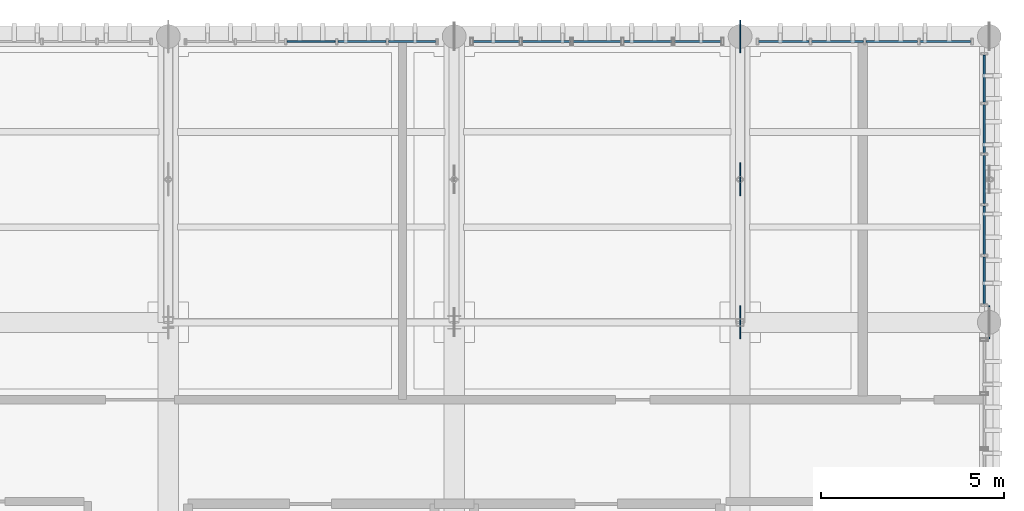
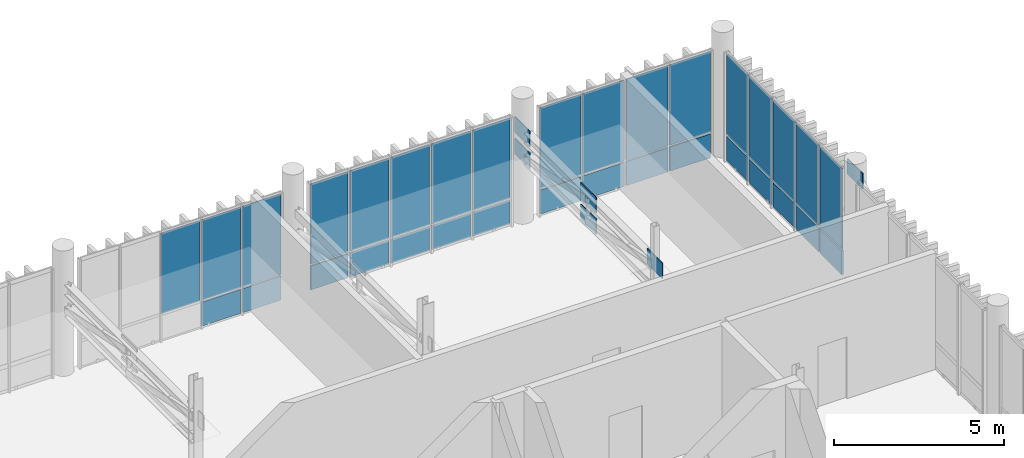
# One storey, part 45 of 53: 39 plates, 4 elements without a shape of their own.
"""IFC4 building model written with IfcOpenShell, lengths in metres."""

from ifc_helpers import new_model, si_unit, direction, frame, frame_2d, origin_with_axes, origin_2d_with_axis, place, context, subcontext, project, spatial, rectangle, extrude, material, layer, layer_set, type_object, element, aggregate, save


model = new_model("IFC4")

# Units and contexts
model_context = context("Model", 3, precision=1e-05, world=origin_with_axes(), true_north=direction((0.0, 1.0)))
body_context = subcontext(model_context, "Body", "Model", "MODEL_VIEW")
ifc_project = project(units=[si_unit("LENGTHUNIT", "METRE"), si_unit("AREAUNIT", "SQUARE_METRE"), si_unit("VOLUMEUNIT", "CUBIC_METRE"), si_unit("PLANEANGLEUNIT", "RADIAN"), si_unit("MASSUNIT", "GRAM", prefix="KILO"), si_unit("THERMODYNAMICTEMPERATUREUNIT", "KELVIN")], contexts=[model_context])

# Site, building, storey
site_placement = place(None, origin_with_axes())
site = spatial("IfcSite", under=ifc_project, at=site_placement, CompositionType="ELEMENT")
building_placement = place(site_placement, origin_with_axes())
building = spatial("IfcBuilding", under=site, at=building_placement, Name="Montbau Bow Law Courts", CompositionType="ELEMENT")
storey_placement = place(building_placement, frame((0.0, 0.0, 39.0), z_axis=(0.0, 0.0, 1.0), x_axis=(1.0, 0.0, 0.0)))
storey = spatial("IfcBuildingStorey", under=building, at=storey_placement, Name="L08", CompositionType="ELEMENT", Elevation=39.0)

# Curtain wall, plates
ifc_material_1 = material(Name="Thermally Broken Extruded Aluminium AA 6063-T6", Category="aluminium")
curtain_wall_type = type_object("IfcCurtainWallType", Name="CW-CRM-03", PredefinedType="NOTDEFINED", material=ifc_material_1)
curtain_wall_1_placement = place(None, frame((147.44, 110.86, 39.0), z_axis=(0.0, 0.0, 1.0), x_axis=(1.0, 0.0, 0.0)))
curtain_wall_1 = element("IfcCurtainWall", 1, at=curtain_wall_1_placement, inside=storey, type_object=curtain_wall_type, Name="CW-L08-377:cw_0377", PredefinedType="NOTDEFINED")
ifc_material_2 = material(Name="Triple-Glazed Low-E Argon Insulating Glass Unit", Category="glass")
ifc_layer_1 = layer(ifc_material_2, 0.044, Name="Curtain Panel", Category="glass")
ifc_layer_set_1 = layer_set([ifc_layer_1], Name="Triple-Glazed Low-E Argon Insulating Glass Unit")
plate_type_1 = type_object("IfcPlateType", Name="PL-CWP-01", PredefinedType="CURTAIN_PANEL", material=ifc_layer_set_1)
plate_1_placement = place(None, frame((150.24, 110.86, 39.98), z_axis=(0.0, -1.0, 0.0), x_axis=(1.0, 0.0, 0.0)))
plate_1 = element("IfcPlate", 2, at=plate_1_placement, type_object=plate_type_1, Name="CW-L08-377-P03-2:cw_0377_P03_2", PredefinedType="CURTAIN_PANEL", context=body_context, shape_type="SweptSolid", body=[
    extrude(rectangle(XDim=1.32, YDim=2.882, at=frame_2d((0.66, 1.441), x_axis=(1.0, 0.0))), frame((0.0, 0.0, -0.022), z_axis=(0.0, 0.0, 1.0), x_axis=(1.0, 0.0, 0.0)), (0.0, 0.0, 1.0), 0.044),
])
plate_2_placement = place(None, frame((151.624, 110.86, 39.98), z_axis=(0.0, -1.0, 0.0), x_axis=(1.0, 0.0, 0.0)))
plate_2 = element("IfcPlate", 3, at=plate_2_placement, type_object=plate_type_1, Name="CW-L08-377-P04-2:cw_0377_P04_2", PredefinedType="CURTAIN_PANEL", context=body_context, shape_type="SweptSolid", body=[
    extrude(rectangle(XDim=1.32, YDim=2.882, at=frame_2d((0.66, 1.441), x_axis=(1.0, 0.0))), frame((0.0, 0.0, -0.022), z_axis=(0.0, 0.0, 1.0), x_axis=(1.0, 0.0, 0.0)), (0.0, 0.0, 1.0), 0.044),
])
plate_3_placement = place(None, frame((153.008, 110.86, 39.98), z_axis=(0.0, -1.0, 0.0), x_axis=(1.0, 0.0, 0.0)))
plate_3 = element("IfcPlate", 4, at=plate_3_placement, type_object=plate_type_1, Name="CW-L08-377-P05-2:cw_0377_P05_2", PredefinedType="CURTAIN_PANEL", context=body_context, shape_type="SweptSolid", body=[
    extrude(rectangle(XDim=1.29, YDim=2.882, at=frame_2d((0.645, 1.441), x_axis=(1.0, 0.0))), frame((0.0, 0.0, -0.022), z_axis=(0.0, 0.0, 1.0), x_axis=(1.0, 0.0, 0.0)), (0.0, 0.0, 1.0), 0.044),
])

curtain_wall_2_placement = place(None, frame((155.24, 110.86, 39.0), z_axis=(0.0, 0.0, 1.0), x_axis=(1.0, 0.0, 0.0)))
curtain_wall_2 = element("IfcCurtainWall", 5, at=curtain_wall_2_placement, inside=storey, type_object=curtain_wall_type, Name="CW-L08-378:cw_0378", PredefinedType="NOTDEFINED")
plate_4_placement = place(None, frame((155.316, 110.86, 39.982), z_axis=(0.0, -1.0, 0.0), x_axis=(1.0, 0.0, 0.0)))
plate_4 = element("IfcPlate", 6, at=plate_4_placement, type_object=plate_type_1, Name="CW-L08-378-P01-2:cw_0378_P01_2", PredefinedType="CURTAIN_PANEL", context=body_context, shape_type="SweptSolid", body=[
    extrude(rectangle(XDim=1.268, YDim=2.876, at=frame_2d((0.634, 1.438), x_axis=(1.0, 0.0))), frame((0.0, 0.0, -0.022), z_axis=(0.0, 0.0, 1.0), x_axis=(1.0, 0.0, 0.0)), (0.0, 0.0, 1.0), 0.044),
])
plate_5_placement = place(None, frame((156.663, 110.86, 39.982), z_axis=(0.0, -1.0, 0.0), x_axis=(1.0, 0.0, 0.0)))
plate_5 = element("IfcPlate", 7, at=plate_5_placement, type_object=plate_type_1, Name="CW-L08-378-P02-2:cw_0378_P02_2", PredefinedType="CURTAIN_PANEL", context=body_context, shape_type="SweptSolid", body=[
    extrude(rectangle(XDim=1.305, YDim=2.876, at=frame_2d((0.6525, 1.438), x_axis=(1.0, 0.0))), frame((0.0, 0.0, -0.022), z_axis=(0.0, 0.0, 1.0), x_axis=(1.0, 0.0, 0.0)), (0.0, 0.0, 1.0), 0.044),
])
plate_6_placement = place(None, frame((158.047, 110.86, 39.982), z_axis=(0.0, -1.0, 0.0), x_axis=(1.0, 0.0, 0.0)))
plate_6 = element("IfcPlate", 8, at=plate_6_placement, type_object=plate_type_1, Name="CW-L08-378-P03-2:cw_0378_P03_2", PredefinedType="CURTAIN_PANEL", context=body_context, shape_type="SweptSolid", body=[
    extrude(rectangle(XDim=1.306, YDim=2.876, at=frame_2d((0.653, 1.438), x_axis=(1.0, 0.0))), frame((0.0, 0.0, -0.022), z_axis=(0.0, 0.0, 1.0), x_axis=(1.0, 0.0, 0.0)), (0.0, 0.0, 1.0), 0.044),
])
plate_7_placement = place(None, frame((159.431, 110.86, 39.982), z_axis=(0.0, -1.0, 0.0), x_axis=(1.0, 0.0, 0.0)))
plate_7 = element("IfcPlate", 9, at=plate_7_placement, type_object=plate_type_1, Name="CW-L08-378-P04-2:cw_0378_P04_2", PredefinedType="CURTAIN_PANEL", context=body_context, shape_type="SweptSolid", body=[
    extrude(rectangle(XDim=1.306, YDim=2.876, at=frame_2d((0.653, 1.438), x_axis=(1.0, 0.0))), frame((0.0, 0.0, -0.022), z_axis=(0.0, 0.0, 1.0), x_axis=(1.0, 0.0, 0.0)), (0.0, 0.0, 1.0), 0.044),
])
plate_8_placement = place(None, frame((160.815, 110.86, 39.982), z_axis=(0.0, -1.0, 0.0), x_axis=(1.0, 0.0, 0.0)))
plate_8 = element("IfcPlate", 10, at=plate_8_placement, type_object=plate_type_1, Name="CW-L08-378-P05-2:cw_0378_P05_2", PredefinedType="CURTAIN_PANEL", context=body_context, shape_type="SweptSolid", body=[
    extrude(rectangle(XDim=1.268, YDim=2.876, at=frame_2d((0.634, 1.438), x_axis=(1.0, 0.0))), frame((0.0, 0.0, -0.022), z_axis=(0.0, 0.0, 1.0), x_axis=(1.0, 0.0, 0.0)), (0.0, 0.0, 1.0), 0.044),
])

curtain_wall_3_placement = place(None, frame((163.04, 110.86, 39.0), z_axis=(0.0, 0.0, 1.0), x_axis=(1.0, 0.0, 0.0)))
curtain_wall_3 = element("IfcCurtainWall", 11, at=curtain_wall_3_placement, inside=storey, type_object=curtain_wall_type, Name="CW-L08-379:cw_0379", PredefinedType="NOTDEFINED")
plate_9_placement = place(None, frame((163.108, 110.86, 39.98), z_axis=(0.0, -1.0, 0.0), x_axis=(1.0, 0.0, 0.0)))
plate_9 = element("IfcPlate", 12, at=plate_9_placement, type_object=plate_type_1, Name="CW-L08-379-P01-2:cw_0379_P01_2", PredefinedType="CURTAIN_PANEL", context=body_context, shape_type="SweptSolid", body=[
    extrude(rectangle(XDim=1.378, YDim=2.882, at=frame_2d((0.689, 1.441), x_axis=(1.0, 0.0))), frame((0.0, 0.0, -0.022), z_axis=(0.0, 0.0, 1.0), x_axis=(1.0, 0.0, 0.0)), (0.0, 0.0, 1.0), 0.044),
])
plate_10_placement = place(None, frame((164.554, 110.86, 39.98), z_axis=(0.0, -1.0, 0.0), x_axis=(1.0, 0.0, 0.0)))
plate_10 = element("IfcPlate", 13, at=plate_10_placement, type_object=plate_type_1, Name="CW-L08-379-P02-2:cw_0379_P02_2", PredefinedType="CURTAIN_PANEL", context=body_context, shape_type="SweptSolid", body=[
    extrude(rectangle(XDim=1.411, YDim=2.882, at=frame_2d((0.7055, 1.441), x_axis=(1.0, 0.0))), frame((0.0, 0.0, -0.022), z_axis=(0.0, 0.0, 1.0), x_axis=(1.0, 0.0, 0.0)), (0.0, 0.0, 1.0), 0.044),
])
plate_11_placement = place(None, frame((166.034, 110.86, 39.98), z_axis=(0.0, -1.0, 0.0), x_axis=(1.0, 0.0, 0.0)))
plate_11 = element("IfcPlate", 14, at=plate_11_placement, type_object=plate_type_1, Name="CW-L08-379-P03-2:cw_0379_P03_2", PredefinedType="CURTAIN_PANEL", context=body_context, shape_type="SweptSolid", body=[
    extrude(rectangle(XDim=1.412, YDim=2.882, at=frame_2d((0.706, 1.441), x_axis=(1.0, 0.0))), frame((0.0, 0.0, -0.022), z_axis=(0.0, 0.0, 1.0), x_axis=(1.0, 0.0, 0.0)), (0.0, 0.0, 1.0), 0.044),
])
plate_12_placement = place(None, frame((167.514, 110.86, 39.98), z_axis=(0.0, -1.0, 0.0), x_axis=(1.0, 0.0, 0.0)))
plate_12 = element("IfcPlate", 15, at=plate_12_placement, type_object=plate_type_1, Name="CW-L08-379-P04-2:cw_0379_P04_2", PredefinedType="CURTAIN_PANEL", context=body_context, shape_type="SweptSolid", body=[
    extrude(rectangle(XDim=1.38, YDim=2.882, at=frame_2d((0.69, 1.441), x_axis=(1.0, 0.0))), frame((0.0, 0.0, -0.022), z_axis=(0.0, 0.0, 1.0), x_axis=(1.0, 0.0, 0.0)), (0.0, 0.0, 1.0), 0.044),
])

curtain_wall_4_placement = place(None, frame((169.26, 103.64, 39.0), z_axis=(0.0, 0.0, 1.0), x_axis=(1.0, 0.0, 0.0)))
curtain_wall_4 = element("IfcCurtainWall", 16, at=curtain_wall_4_placement, inside=storey, type_object=curtain_wall_type, Name="CW-L08-385:cw_0385", PredefinedType="NOTDEFINED")
plate_13_placement = place(None, frame((169.26, 103.708, 39.98), z_axis=(1.0, 0.0, 0.0), x_axis=(0.0, 1.0, 0.0)))
plate_13 = element("IfcPlate", 17, at=plate_13_placement, type_object=plate_type_1, Name="CW-L08-385-P01-2:cw_0385_P01_2", PredefinedType="CURTAIN_PANEL", context=body_context, shape_type="SweptSolid", body=[
    extrude(rectangle(XDim=1.281, YDim=2.882, at=frame_2d((0.6405, 1.441), x_axis=(1.0, 0.0))), frame((0.0, 0.0, -0.022), z_axis=(0.0, 0.0, 1.0), x_axis=(1.0, 0.0, 0.0)), (0.0, 0.0, 1.0), 0.044),
])
plate_14_placement = place(None, frame((169.26, 105.058, 39.98), z_axis=(1.0, 0.0, 0.0), x_axis=(0.0, 1.0, 0.0)))
plate_14 = element("IfcPlate", 18, at=plate_14_placement, type_object=plate_type_1, Name="CW-L08-385-P02-2:cw_0385_P02_2", PredefinedType="CURTAIN_PANEL", context=body_context, shape_type="SweptSolid", body=[
    extrude(rectangle(XDim=1.315, YDim=2.882, at=frame_2d((0.6575, 1.441), x_axis=(1.0, 0.0))), frame((0.0, 0.0, -0.022), z_axis=(0.0, 0.0, 1.0), x_axis=(1.0, 0.0, 0.0)), (0.0, 0.0, 1.0), 0.044),
])
plate_15_placement = place(None, frame((169.26, 106.442, 39.98), z_axis=(1.0, 0.0, 0.0), x_axis=(0.0, 1.0, 0.0)))
plate_15 = element("IfcPlate", 19, at=plate_15_placement, type_object=plate_type_1, Name="CW-L08-385-P03-2:cw_0385_P03_2", PredefinedType="CURTAIN_PANEL", context=body_context, shape_type="SweptSolid", body=[
    extrude(rectangle(XDim=1.316, YDim=2.882, at=frame_2d((0.658, 1.441), x_axis=(1.0, 0.0))), frame((0.0, 0.0, -0.022), z_axis=(0.0, 0.0, 1.0), x_axis=(1.0, 0.0, 0.0)), (0.0, 0.0, 1.0), 0.044),
])
plate_16_placement = place(None, frame((169.26, 107.826, 39.98), z_axis=(1.0, 0.0, 0.0), x_axis=(0.0, 1.0, 0.0)))
plate_16 = element("IfcPlate", 20, at=plate_16_placement, type_object=plate_type_1, Name="CW-L08-385-P04-2:cw_0385_P04_2", PredefinedType="CURTAIN_PANEL", context=body_context, shape_type="SweptSolid", body=[
    extrude(rectangle(XDim=1.316, YDim=2.882, at=frame_2d((0.658, 1.441), x_axis=(1.0, 0.0))), frame((0.0, 0.0, -0.022), z_axis=(0.0, 0.0, 1.0), x_axis=(1.0, 0.0, 0.0)), (0.0, 0.0, 1.0), 0.044),
])
plate_17_placement = place(None, frame((169.26, 109.21, 39.98), z_axis=(1.0, 0.0, 0.0), x_axis=(0.0, 1.0, 0.0)))
plate_17 = element("IfcPlate", 21, at=plate_17_placement, type_object=plate_type_1, Name="CW-L08-385-P05-2:cw_0385_P05_2", PredefinedType="CURTAIN_PANEL", context=body_context, shape_type="SweptSolid", body=[
    extrude(rectangle(XDim=1.284, YDim=2.882, at=frame_2d((0.642, 1.441), x_axis=(1.0, 0.0))), frame((0.0, 0.0, -0.022), z_axis=(0.0, 0.0, 1.0), x_axis=(1.0, 0.0, 0.0)), (0.0, 0.0, 1.0), 0.044),
])

# Plate
ifc_material_3 = material(Name="Insulated Ceramic-Frit Spandrel Glazing Unit", Category="glass")
ifc_layer_2 = layer(ifc_material_3, 0.056, Name="Curtain Panel", Category="glass")
ifc_layer_set_2 = layer_set([ifc_layer_2], Name="Insulated Ceramic-Frit Spandrel Glazing Unit")
plate_type_2 = type_object("IfcPlateType", Name="PL-CWP-02", PredefinedType="CURTAIN_PANEL", material=ifc_layer_set_2)
plate_18_placement = place(None, frame((151.624, 110.86, 39.058), z_axis=(0.0, -1.0, 0.0), x_axis=(1.0, 0.0, 0.0)))
plate_18 = element("IfcPlate", 22, at=plate_18_placement, type_object=plate_type_2, Name="CW-L08-377-P04-1:cw_0377_P04_1", PredefinedType="CURTAIN_PANEL", context=body_context, shape_type="SweptSolid", body=[
    extrude(rectangle(XDim=1.32, YDim=0.862, at=frame_2d((0.66, 0.431), x_axis=(1.0, 0.0))), frame((0.0, 0.0, -0.028), z_axis=(0.0, 0.0, 1.0), x_axis=(1.0, 0.0, 0.0)), (0.0, 0.0, 1.0), 0.056),
])

plate_19_placement = place(None, frame((153.008, 110.86, 39.058), z_axis=(0.0, -1.0, 0.0), x_axis=(1.0, 0.0, 0.0)))
plate_19 = element("IfcPlate", 23, at=plate_19_placement, type_object=plate_type_2, Name="CW-L08-377-P05-1:cw_0377_P05_1", PredefinedType="CURTAIN_PANEL", context=body_context, shape_type="SweptSolid", body=[
    extrude(rectangle(XDim=1.29, YDim=0.862, at=frame_2d((0.645, 0.431), x_axis=(1.0, 0.0))), frame((0.0, 0.0, -0.028), z_axis=(0.0, 0.0, 1.0), x_axis=(1.0, 0.0, 0.0)), (0.0, 0.0, 1.0), 0.056),
])

aggregate(curtain_wall_1, [plate_1, plate_18, plate_2, plate_19, plate_3])

plate_20_placement = place(None, frame((155.316, 110.86, 39.062), z_axis=(0.0, -1.0, 0.0), x_axis=(1.0, 0.0, 0.0)))
plate_20 = element("IfcPlate", 24, at=plate_20_placement, type_object=plate_type_2, Name="CW-L08-378-P01-1:cw_0378_P01_1", PredefinedType="CURTAIN_PANEL", context=body_context, shape_type="SweptSolid", body=[
    extrude(rectangle(XDim=1.268, YDim=0.856, at=frame_2d((0.634, 0.428), x_axis=(1.0, 0.0))), frame((0.0, 0.0, -0.028), z_axis=(0.0, 0.0, 1.0), x_axis=(1.0, 0.0, 0.0)), (0.0, 0.0, 1.0), 0.056),
])

plate_21_placement = place(None, frame((156.663, 110.86, 39.062), z_axis=(0.0, -1.0, 0.0), x_axis=(1.0, 0.0, 0.0)))
plate_21 = element("IfcPlate", 25, at=plate_21_placement, type_object=plate_type_2, Name="CW-L08-378-P02-1:cw_0378_P02_1", PredefinedType="CURTAIN_PANEL", context=body_context, shape_type="SweptSolid", body=[
    extrude(rectangle(XDim=1.305, YDim=0.856, at=frame_2d((0.6525, 0.428), x_axis=(1.0, 0.0))), frame((0.0, 0.0, -0.028), z_axis=(0.0, 0.0, 1.0), x_axis=(1.0, 0.0, 0.0)), (0.0, 0.0, 1.0), 0.056),
])

plate_22_placement = place(None, frame((158.047, 110.86, 39.062), z_axis=(0.0, -1.0, 0.0), x_axis=(1.0, 0.0, 0.0)))
plate_22 = element("IfcPlate", 26, at=plate_22_placement, type_object=plate_type_2, Name="CW-L08-378-P03-1:cw_0378_P03_1", PredefinedType="CURTAIN_PANEL", context=body_context, shape_type="SweptSolid", body=[
    extrude(rectangle(XDim=1.306, YDim=0.856, at=frame_2d((0.653, 0.428), x_axis=(1.0, 0.0))), frame((0.0, 0.0, -0.028), z_axis=(0.0, 0.0, 1.0), x_axis=(1.0, 0.0, 0.0)), (0.0, 0.0, 1.0), 0.056),
])

plate_23_placement = place(None, frame((159.431, 110.86, 39.062), z_axis=(0.0, -1.0, 0.0), x_axis=(1.0, 0.0, 0.0)))
plate_23 = element("IfcPlate", 27, at=plate_23_placement, type_object=plate_type_2, Name="CW-L08-378-P04-1:cw_0378_P04_1", PredefinedType="CURTAIN_PANEL", context=body_context, shape_type="SweptSolid", body=[
    extrude(rectangle(XDim=1.306, YDim=0.856, at=frame_2d((0.653, 0.428), x_axis=(1.0, 0.0))), frame((0.0, 0.0, -0.028), z_axis=(0.0, 0.0, 1.0), x_axis=(1.0, 0.0, 0.0)), (0.0, 0.0, 1.0), 0.056),
])

plate_24_placement = place(None, frame((160.815, 110.86, 39.062), z_axis=(0.0, -1.0, 0.0), x_axis=(1.0, 0.0, 0.0)))
plate_24 = element("IfcPlate", 28, at=plate_24_placement, type_object=plate_type_2, Name="CW-L08-378-P05-1:cw_0378_P05_1", PredefinedType="CURTAIN_PANEL", context=body_context, shape_type="SweptSolid", body=[
    extrude(rectangle(XDim=1.268, YDim=0.856, at=frame_2d((0.634, 0.428), x_axis=(1.0, 0.0))), frame((0.0, 0.0, -0.028), z_axis=(0.0, 0.0, 1.0), x_axis=(1.0, 0.0, 0.0)), (0.0, 0.0, 1.0), 0.056),
])

aggregate(curtain_wall_2, [plate_20, plate_4, plate_21, plate_5, plate_22, plate_6, plate_23, plate_7, plate_24, plate_8])

plate_25_placement = place(None, frame((163.108, 110.86, 39.058), z_axis=(0.0, -1.0, 0.0), x_axis=(1.0, 0.0, 0.0)))
plate_25 = element("IfcPlate", 29, at=plate_25_placement, type_object=plate_type_2, Name="CW-L08-379-P01-1:cw_0379_P01_1", PredefinedType="CURTAIN_PANEL", context=body_context, shape_type="SweptSolid", body=[
    extrude(rectangle(XDim=1.378, YDim=0.862, at=frame_2d((0.689, 0.431), x_axis=(1.0, 0.0))), frame((0.0, 0.0, -0.028), z_axis=(0.0, 0.0, 1.0), x_axis=(1.0, 0.0, 0.0)), (0.0, 0.0, 1.0), 0.056),
])

plate_26_placement = place(None, frame((164.554, 110.86, 39.058), z_axis=(0.0, -1.0, 0.0), x_axis=(1.0, 0.0, 0.0)))
plate_26 = element("IfcPlate", 30, at=plate_26_placement, type_object=plate_type_2, Name="CW-L08-379-P02-1:cw_0379_P02_1", PredefinedType="CURTAIN_PANEL", context=body_context, shape_type="SweptSolid", body=[
    extrude(rectangle(XDim=1.411, YDim=0.862, at=frame_2d((0.7055, 0.431), x_axis=(1.0, 0.0))), frame((0.0, 0.0, -0.028), z_axis=(0.0, 0.0, 1.0), x_axis=(1.0, 0.0, 0.0)), (0.0, 0.0, 1.0), 0.056),
])

plate_27_placement = place(None, frame((166.034, 110.86, 39.058), z_axis=(0.0, -1.0, 0.0), x_axis=(1.0, 0.0, 0.0)))
plate_27 = element("IfcPlate", 31, at=plate_27_placement, type_object=plate_type_2, Name="CW-L08-379-P03-1:cw_0379_P03_1", PredefinedType="CURTAIN_PANEL", context=body_context, shape_type="SweptSolid", body=[
    extrude(rectangle(XDim=1.412, YDim=0.862, at=frame_2d((0.706, 0.431), x_axis=(1.0, 0.0))), frame((0.0, 0.0, -0.028), z_axis=(0.0, 0.0, 1.0), x_axis=(1.0, 0.0, 0.0)), (0.0, 0.0, 1.0), 0.056),
])

plate_28_placement = place(None, frame((167.514, 110.86, 39.058), z_axis=(0.0, -1.0, 0.0), x_axis=(1.0, 0.0, 0.0)))
plate_28 = element("IfcPlate", 32, at=plate_28_placement, type_object=plate_type_2, Name="CW-L08-379-P04-1:cw_0379_P04_1", PredefinedType="CURTAIN_PANEL", context=body_context, shape_type="SweptSolid", body=[
    extrude(rectangle(XDim=1.38, YDim=0.862, at=frame_2d((0.69, 0.431), x_axis=(1.0, 0.0))), frame((0.0, 0.0, -0.028), z_axis=(0.0, 0.0, 1.0), x_axis=(1.0, 0.0, 0.0)), (0.0, 0.0, 1.0), 0.056),
])

aggregate(curtain_wall_3, [plate_25, plate_9, plate_26, plate_10, plate_27, plate_11, plate_28, plate_12])

plate_29_placement = place(None, frame((169.26, 103.708, 39.058), z_axis=(1.0, 0.0, 0.0), x_axis=(0.0, 1.0, 0.0)))
plate_29 = element("IfcPlate", 33, at=plate_29_placement, type_object=plate_type_2, Name="CW-L08-385-P01-1:cw_0385_P01_1", PredefinedType="CURTAIN_PANEL", context=body_context, shape_type="SweptSolid", body=[
    extrude(rectangle(XDim=1.281, YDim=0.862, at=frame_2d((0.6405, 0.431), x_axis=(1.0, 0.0))), frame((0.0, 0.0, -0.028), z_axis=(0.0, 0.0, 1.0), x_axis=(1.0, 0.0, 0.0)), (0.0, 0.0, 1.0), 0.056),
])

plate_30_placement = place(None, frame((169.26, 105.058, 39.058), z_axis=(1.0, 0.0, 0.0), x_axis=(0.0, 1.0, 0.0)))
plate_30 = element("IfcPlate", 34, at=plate_30_placement, type_object=plate_type_2, Name="CW-L08-385-P02-1:cw_0385_P02_1", PredefinedType="CURTAIN_PANEL", context=body_context, shape_type="SweptSolid", body=[
    extrude(rectangle(XDim=1.315, YDim=0.862, at=frame_2d((0.6575, 0.431), x_axis=(1.0, 0.0))), frame((0.0, 0.0, -0.028), z_axis=(0.0, 0.0, 1.0), x_axis=(1.0, 0.0, 0.0)), (0.0, 0.0, 1.0), 0.056),
])

plate_31_placement = place(None, frame((169.26, 106.442, 39.058), z_axis=(1.0, 0.0, 0.0), x_axis=(0.0, 1.0, 0.0)))
plate_31 = element("IfcPlate", 35, at=plate_31_placement, type_object=plate_type_2, Name="CW-L08-385-P03-1:cw_0385_P03_1", PredefinedType="CURTAIN_PANEL", context=body_context, shape_type="SweptSolid", body=[
    extrude(rectangle(XDim=1.316, YDim=0.862, at=frame_2d((0.658, 0.431), x_axis=(1.0, 0.0))), frame((0.0, 0.0, -0.028), z_axis=(0.0, 0.0, 1.0), x_axis=(1.0, 0.0, 0.0)), (0.0, 0.0, 1.0), 0.056),
])

plate_32_placement = place(None, frame((169.26, 107.826, 39.058), z_axis=(1.0, 0.0, 0.0), x_axis=(0.0, 1.0, 0.0)))
plate_32 = element("IfcPlate", 36, at=plate_32_placement, type_object=plate_type_2, Name="CW-L08-385-P04-1:cw_0385_P04_1", PredefinedType="CURTAIN_PANEL", context=body_context, shape_type="SweptSolid", body=[
    extrude(rectangle(XDim=1.316, YDim=0.862, at=frame_2d((0.658, 0.431), x_axis=(1.0, 0.0))), frame((0.0, 0.0, -0.028), z_axis=(0.0, 0.0, 1.0), x_axis=(1.0, 0.0, 0.0)), (0.0, 0.0, 1.0), 0.056),
])

plate_33_placement = place(None, frame((169.26, 109.21, 39.058), z_axis=(1.0, 0.0, 0.0), x_axis=(0.0, 1.0, 0.0)))
plate_33 = element("IfcPlate", 37, at=plate_33_placement, type_object=plate_type_2, Name="CW-L08-385-P05-1:cw_0385_P05_1", PredefinedType="CURTAIN_PANEL", context=body_context, shape_type="SweptSolid", body=[
    extrude(rectangle(XDim=1.284, YDim=0.862, at=frame_2d((0.642, 0.431), x_axis=(1.0, 0.0))), frame((0.0, 0.0, -0.028), z_axis=(0.0, 0.0, 1.0), x_axis=(1.0, 0.0, 0.0)), (0.0, 0.0, 1.0), 0.056),
])

aggregate(curtain_wall_4, [plate_29, plate_13, plate_30, plate_14, plate_31, plate_15, plate_32, plate_16, plate_33, plate_17])

# Plates
ifc_material_4 = material(Name="Steel CSA G40.21 Grade 350WT (350 MPa)", Category="steel")
ifc_layer_3 = layer(ifc_material_4, 0.032, Name="Gusset Plate", Category="steel")
ifc_layer_set_3 = layer_set([ifc_layer_3], Name="Steel CSA G40.21 Grade 350WT (350 MPa)")
plate_type_3 = type_object("IfcPlateType", Name="PL-GUS-01", PredefinedType="USERDEFINED", material=ifc_layer_set_3)
for number, where, z_axis, x_axis, name in (
    (38, (162.6, 103.2, 41.82), (0.0, 0.0, 1.0), (0.0, 1.0, 0.0), "BGP-L08-086:plt_0117"),
    (39, (162.6, 107.1, 41.04), (0.0, 0.0, 1.0), (0.0, 1.0, 0.0), "BGP-L08-087:plt_0118"),
    (40, (162.6, 107.1, 41.82), (0.0, 0.0, 1.0), (0.0, 1.0, 0.0), "BGP-L08-088:plt_0119"),
    (41, (162.6, 111.0, 41.04), (0.0, 0.0, 1.0), (0.0, 1.0, 0.0), "BGP-L08-089:plt_0120"),
    (42, (162.6, 111.0, 41.82), (0.0, 0.0, 1.0), (0.0, 1.0, 0.0), "BGP-L08-090:plt_0121"),
    (43, (169.4, 103.2, 42.657), (0.0, 0.0, 1.0), (0.0, 1.0, 0.0), "BGP-L08-177:plt_0208"),
):
    element("IfcPlate", number, at=place(None, frame(where, z_axis=z_axis, x_axis=x_axis)), inside=storey, type_object=plate_type_3, Name=name, ObjectType="GUSSET_PLATE", PredefinedType="USERDEFINED", context=body_context, shape_type="SweptSolid", body=[
        extrude(rectangle(XDim=0.9, YDim=0.032, at=origin_2d_with_axis()), origin_with_axes(), (0.0, 0.0, 1.0), 0.56),
    ])

save(model, "model.ifc")
